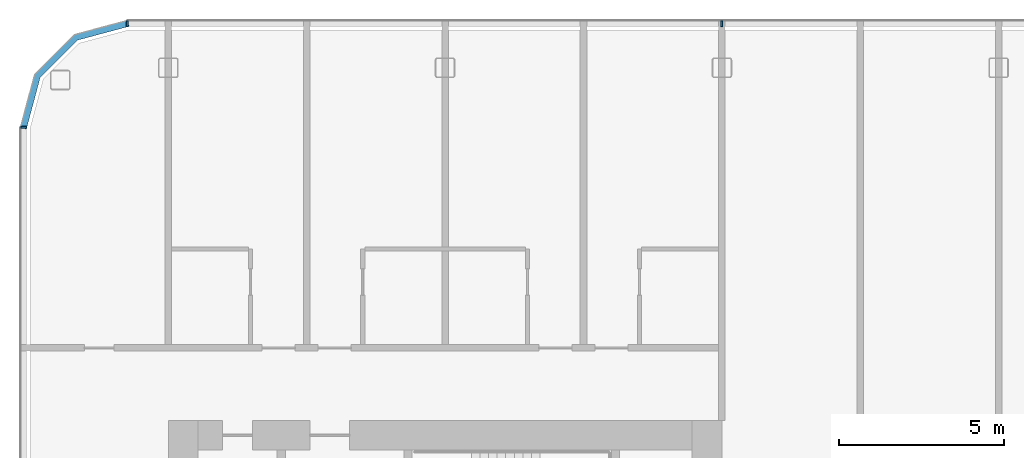
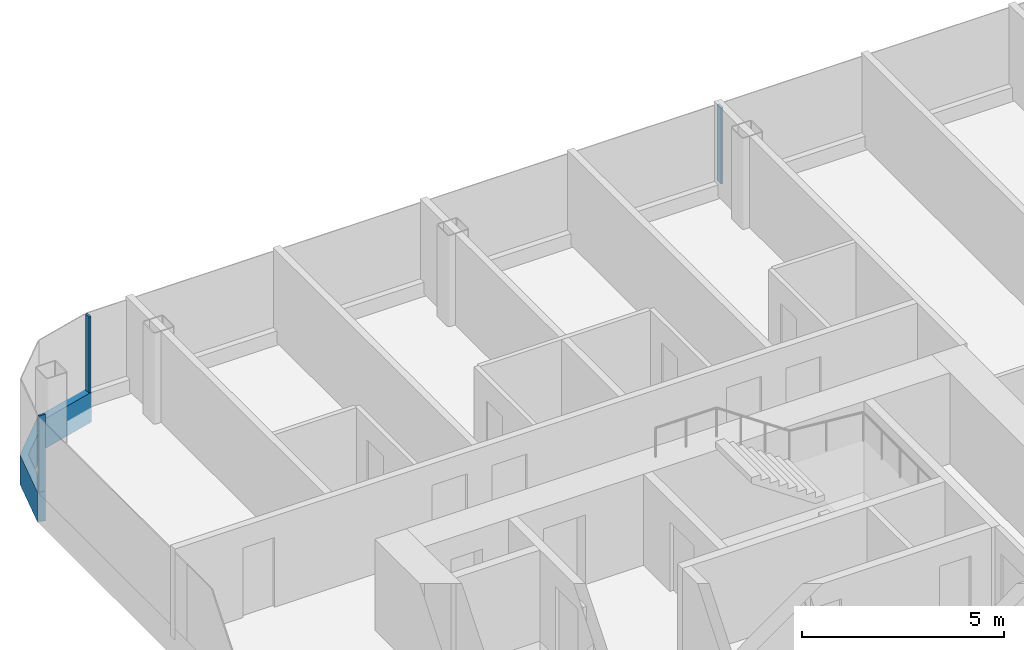
# One storey, part 6 of 26: 4 members, 3 elements without a shape of their own.
"""IFC4 building model written with IfcOpenShell, lengths in metres."""

from ifc_helpers import new_model, si_unit, direction, frame, origin, origin_2d, place, context, subcontext, project, spatial, polyline, rectangle, outline, extrude, material, layer, layer_set, material_profile, profile_set, type_object, element, aggregate, save


model = new_model("IFC4")

# Units and contexts
model_context = context("Model", 3, precision=1e-05, world=origin(), true_north=direction((0.0, 1.0)))
body_context = subcontext(model_context, "Body", "Model", "MODEL_VIEW")
ifc_project = project(units=[si_unit("LENGTHUNIT", "METRE"), si_unit("AREAUNIT", "SQUARE_METRE"), si_unit("VOLUMEUNIT", "CUBIC_METRE"), si_unit("PLANEANGLEUNIT", "RADIAN"), si_unit("MASSUNIT", "GRAM", prefix="KILO")], contexts=[model_context])

# Site, building, storey
site_placement = place(None, origin())
site = spatial("IfcSite", under=ifc_project, at=site_placement, CompositionType="ELEMENT")
building_placement = place(site_placement, origin())
building = spatial("IfcBuilding", under=site, at=building_placement, Name="Hakoniwa Tower and Hamabe Station Hall", CompositionType="ELEMENT")
storey_placement = place(building_placement, frame((0.0, 0.0, 221.800048828125)))
storey = spatial("IfcBuildingStorey", under=building, at=storey_placement, Name="L63", CompositionType="ELEMENT", Elevation=221.800048828125)

# Curtain wall, member
ifc_material_1 = material(Name="Dark low-e laminated glass", Category="glass")
ifc_layer = layer(ifc_material_1, 0.199951171875)
ifc_layer_set = layer_set([ifc_layer], Name="CW-1 UNITISED GUEST")
curtain_wall_type = type_object("IfcCurtainWallType", Name="CW-1 UNITISED GUEST", PredefinedType="NOTDEFINED", material=ifc_layer_set)
curtain_wall_1_placement = place(storey_placement, origin())
curtain_wall_1 = element("IfcCurtainWall", 1, at=curtain_wall_1_placement, inside=storey, type_object=curtain_wall_type, Name="CW-1 curtain wall", PredefinedType="NOTDEFINED")
ifc_material_2 = material(Name="Aluminium 6063-T5 black anodised", Category="aluminium")
ifc_material_profile_1 = material_profile(ifc_material_2, rectangle(XDim=0.199951171875, YDim=0.89990234375, at=origin_2d()), Name="CW SLAB-EDGE BAND 900X200")
ifc_profile_set_1 = profile_set([ifc_material_profile_1], Name="Aluminium 6063-T5 black anodised")
member_type_1 = type_object("IfcMemberType", Name="CW SLAB-EDGE BAND 900X200", PredefinedType="USERDEFINED", material=ifc_profile_set_1)
member_1_placement = place(storey_placement, frame((0.0, 0.0, -0.550048828125)))
member_1 = element("IfcMember", 2, at=member_1_placement, type_object=member_type_1, Name="CW-1 transom", ObjectType="TRANSOM", PredefinedType="USERDEFINED", context=body_context, shape_type="SweptSolid", body=[
    extrude(outline(polyline([(-34.839599609375, 20.550048828125), (-36.455322265625, 20.116943359375), (-37.6669921875, 18.9052734375), (-38.10009765625, 17.28955078125), (-37.90673828125, 17.23779296875), (-37.48779296875, 18.8017578125), (-36.351806640625, 19.937744140625), (-34.787841796875, 20.35693359375), (-34.839599609375, 20.550048828125)])), origin(), (0.0, 0.0, 1.0), 0.89990234375),
])
aggregate(curtain_wall_1, [member_1])

# Curtain wall, members
curtain_wall_2_placement = place(storey_placement, origin())
curtain_wall_2 = element("IfcCurtainWall", 3, at=curtain_wall_2_placement, inside=storey, type_object=curtain_wall_type, Name="CW-1 curtain wall", PredefinedType="NOTDEFINED")
ifc_material_3 = material(Name="Aluminium 6063-T5 black anodised", Category="aluminium")
ifc_material_profile_2 = material_profile(ifc_material_3, rectangle(XDim=0.06005859375, YDim=0.179931640625, at=origin_2d()), Name="CW-1 MULLION 60X180")
ifc_profile_set_2 = profile_set([ifc_material_profile_2], Name="Aluminium 6063-T5 black anodised")
member_type_2 = type_object("IfcMemberType", Name="CW-1 MULLION 60X180", PredefinedType="MULLION", material=ifc_profile_set_2)
member_2_placement = place(storey_placement, frame((-16.800048828125, 20.431884765625, 0.349853515625), z_axis=(0.0, 0.0, 1.0), x_axis=(-1.0, 0.0, 0.0)))
member_2 = element("IfcMember", 4, at=member_2_placement, type_object=member_type_2, Name="CW-1 mullion", PredefinedType="MULLION", context=body_context, shape_type="SweptSolid", body=[
    extrude(rectangle(XDim=0.06005859375, YDim=0.179931640625, at=origin_2d()), origin(), (0.0, 0.0, 1.0), 2.300048828125),
])
member_3_placement = place(storey_placement, frame((-34.839599609375, 20.431884765625, 0.349853515625), z_axis=(0.0, 0.0, 1.0), x_axis=(-1.0, 0.0, 0.0)))
member_3 = element("IfcMember", 5, at=member_3_placement, type_object=member_type_2, Name="CW-1 mullion", PredefinedType="MULLION", context=body_context, shape_type="SweptSolid", body=[
    extrude(rectangle(XDim=0.06005859375, YDim=0.179931640625, at=origin_2d()), origin(), (0.0, 0.0, 1.0), 2.300048828125),
])
aggregate(curtain_wall_2, [member_2, member_3])

# Curtain wall, member
curtain_wall_3_placement = place(storey_placement, origin())
curtain_wall_3 = element("IfcCurtainWall", 6, at=curtain_wall_3_placement, inside=storey, type_object=curtain_wall_type, Name="CW-1 curtain wall", PredefinedType="NOTDEFINED")
member_4_placement = place(storey_placement, frame((-37.98193359375, 17.28955078125, 0.349853515625), z_axis=(0.0, 0.0, 1.0), x_axis=(0.0, -1.0, 0.0)))
member_4 = element("IfcMember", 7, at=member_4_placement, type_object=member_type_2, Name="CW-1 mullion", PredefinedType="MULLION", context=body_context, shape_type="SweptSolid", body=[
    extrude(rectangle(XDim=0.06005859375, YDim=0.179931640625, at=origin_2d()), origin(), (0.0, 0.0, 1.0), 2.300048828125),
])
aggregate(curtain_wall_3, [member_4])

save(model, "model.ifc")
